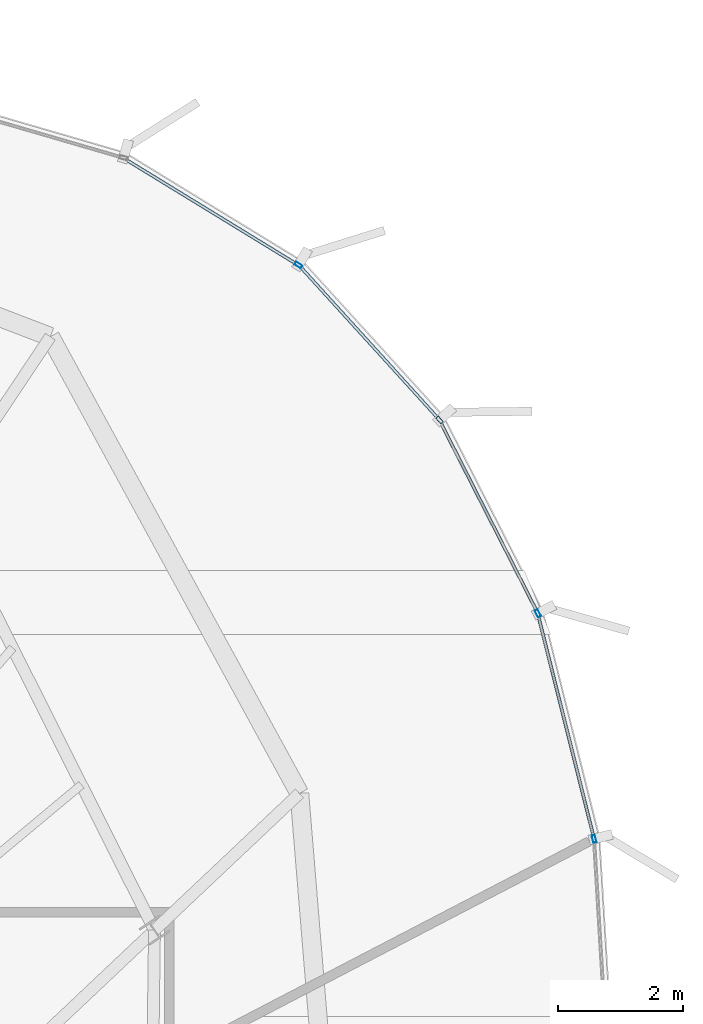
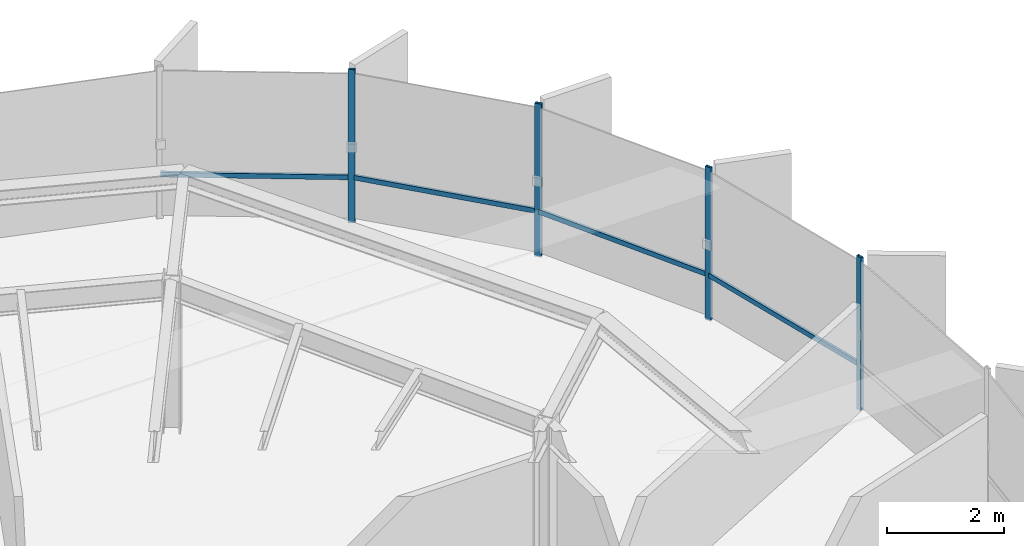
# One storey, part 24 of 33: 8 members, 2 elements without a shape of their own.
"""IFC4 building model written with IfcOpenShell, lengths in metres."""

from ifc_helpers import new_model, si_unit, direction, frame, origin, origin_2d, place, context, subcontext, project, spatial, hollow_rectangle, extrude, source, transform, mapped, material, layer, layer_set, material_profile, profile_set, type_object, element, aggregate, save


model = new_model("IFC4")

# Units and contexts
model_context = context("Model", 3, precision=1e-05, world=origin(), true_north=direction((0.0, 1.0)))
body_context = subcontext(model_context, "Body", "Model", "MODEL_VIEW")
ifc_project = project(units=[si_unit("LENGTHUNIT", "METRE"), si_unit("AREAUNIT", "SQUARE_METRE"), si_unit("VOLUMEUNIT", "CUBIC_METRE"), si_unit("PLANEANGLEUNIT", "RADIAN"), si_unit("MASSUNIT", "GRAM", prefix="KILO"), si_unit("THERMODYNAMICTEMPERATUREUNIT", "KELVIN")], contexts=[model_context])

# Site, building, storey
site_placement = place(None, origin())
site = spatial("IfcSite", under=ifc_project, at=site_placement, CompositionType="ELEMENT")
building_placement = place(site_placement, origin())
building = spatial("IfcBuilding", under=site, at=building_placement, Name="Kethvar Cultural Tower", CompositionType="ELEMENT")
storey_placement = place(building_placement, frame((0.0, 0.0, 238.75)))
storey = spatial("IfcBuildingStorey", under=building, at=storey_placement, Name="L62", CompositionType="ELEMENT", Elevation=238.75)

# Curtain wall, member
ifc_material = material(Name="Aluminium 6063-T6", Category="aluminium")
ifc_layer = layer(ifc_material, 0.179931640625, Name="Aluminium 6063-T6", Category="aluminium")
ifc_layer_set = layer_set([ifc_layer], Name="Aluminium 6063-T6 (180 mm)")
curtain_wall_type = type_object("IfcCurtainWallType", Name="CW-SYS-05-Z56", PredefinedType="NOTDEFINED", material=ifc_layer_set)
curtain_wall_1_placement = place(storey_placement, origin())
curtain_wall_1 = element("IfcCurtainWall", 1, at=curtain_wall_1_placement, inside=storey, type_object=curtain_wall_type, Name="L62 Curtain Wall Run 01", PredefinedType="NOTDEFINED")
ifc_material_profile_1 = material_profile(ifc_material, hollow_rectangle(XDim=0.054931640625, YDim=0.1201171875, WallThickness=0.00390625, at=origin_2d()), Name="Aluminium 6063-T6 — RHS120x55x4")
ifc_profile_set_1 = profile_set([ifc_material_profile_1], Name="Aluminium 6063-T6 — RHS120x55x4")
member_type_1 = type_object("IfcMemberType", Name="CW-SYS-05-Z56-MUL", PredefinedType="MULLION", material=ifc_profile_set_1)
shared_shape_1 = source(origin(), body_context, "Body", "SweptSolid", [
    extrude(hollow_rectangle(XDim=0.054931640625, YDim=0.1201171875, WallThickness=0.00390625, at=origin_2d()), origin(), (0.0, 0.0, 1.0), 3.2099609375),
])
member_1_placement = place(storey_placement, frame((63.636474609375, 48.18505859375, 0.0), z_axis=(0.0, 0.0, 1.0), x_axis=(-0.522037165537, -0.85292273847, 0.0)))
member_1 = element("IfcMember", 2, at=member_1_placement, type_object=member_type_1, Name="CW-L62-R01 Mullion 1", PredefinedType="MULLION", context=body_context, shape_type="MappedRepresentation", body=[
    mapped(shared_shape_1, transform((0.0, 0.0, 0.0), scale=1.0)),
])

# Curtain wall, members
curtain_wall_2_placement = place(storey_placement, origin())
curtain_wall_2 = element("IfcCurtainWall", 3, at=curtain_wall_2_placement, inside=storey, type_object=curtain_wall_type, Name="L62 Curtain Wall Run 06", PredefinedType="NOTDEFINED")
member_2_placement = place(storey_placement, frame((68.384765625, 38.97412109375, 0.0), z_axis=(0.0, 0.0, 1.0), x_axis=(-0.970109657505, -0.242666957817, 0.0)))
member_2 = element("IfcMember", 4, at=member_2_placement, type_object=member_type_1, Name="CW-L62-R06 Mullion 4", PredefinedType="MULLION", context=body_context, shape_type="MappedRepresentation", body=[
    mapped(shared_shape_1, transform((0.0, 0.0, 0.0), scale=1.0)),
])
member_3_placement = place(storey_placement, frame((67.481689453125, 42.594482421875, 0.0), z_axis=(0.0, 0.0, 1.0), x_axis=(-0.890951052136, -0.454099353334, 0.0)))
member_3 = element("IfcMember", 5, at=member_3_placement, type_object=member_type_1, Name="CW-L62-R06 Mullion 5", PredefinedType="MULLION", context=body_context, shape_type="MappedRepresentation", body=[
    mapped(shared_shape_1, transform((0.0, 0.0, 0.0), scale=1.0)),
])
member_4_placement = place(storey_placement, frame((65.90283203125, 45.700439453125, 0.0), z_axis=(0.0, 0.0, 1.0), x_axis=(-0.739995121514, -0.672612236088, 0.0)))
member_4 = element("IfcMember", 6, at=member_4_placement, type_object=member_type_1, Name="CW-L62-R06 Mullion 6", PredefinedType="MULLION", context=body_context, shape_type="MappedRepresentation", body=[
    mapped(shared_shape_1, transform((0.0, 0.0, 0.0), scale=1.0)),
])

# Member
ifc_material_profile_2 = material_profile(ifc_material, hollow_rectangle(XDim=0.050048828125, YDim=0.10009765625, WallThickness=0.00390625, at=origin_2d()), Name="Aluminium 6063-T6 — RHS100x50x4")
ifc_profile_set_2 = profile_set([ifc_material_profile_2], Name="Aluminium 6063-T6 — RHS100x50x4")
member_type_2 = type_object("IfcMemberType", Name="CW-SYS-05-Z56-TRN", PredefinedType="USERDEFINED", material=ifc_profile_set_2)
shared_shape_2 = source(origin(), body_context, "Body", "SweptSolid", [
    extrude(hollow_rectangle(XDim=0.050048828125, YDim=0.10009765625, WallThickness=0.00390625, at=origin_2d()), origin(), (0.0, 0.0, 1.0), 3.27734375),
])
member_5_placement = place(storey_placement, frame((63.633056640625, 48.18701171875, 0.949951171875), z_axis=(-0.852924410389, 0.522034433887, 0.0), x_axis=(-0.522034433887, -0.852924410389, 0.0)))
member_5 = element("IfcMember", 7, at=member_5_placement, type_object=member_type_2, Name="CW-L62-R01 Transom 1", ObjectType="TRANSOM", PredefinedType="USERDEFINED", context=body_context, shape_type="MappedRepresentation", body=[
    mapped(shared_shape_2, transform((0.0, 0.0, 0.0), scale=1.0)),
])

aggregate(curtain_wall_1, [member_1, member_5])

shared_shape_3 = source(origin(), body_context, "Body", "SweptSolid", [
    extrude(hollow_rectangle(XDim=0.050048828125, YDim=0.10009765625, WallThickness=0.00390625, at=origin_2d()), origin(), (0.0, 0.0, 1.0), 3.674560546875),
])
member_6_placement = place(storey_placement, frame((68.375244140625, 39.0126953125, 0.949951171875), z_axis=(-0.242707585184, 0.970099493915, 0.0), x_axis=(-0.970099493915, -0.242707585184, 0.0)))
member_6 = element("IfcMember", 8, at=member_6_placement, type_object=member_type_2, Name="CW-L62-R06 Transom 4", ObjectType="TRANSOM", PredefinedType="USERDEFINED", context=body_context, shape_type="MappedRepresentation", body=[
    mapped(shared_shape_3, transform((0.0, 0.0, 0.0), scale=1.0)),
])

shared_shape_4 = source(origin(), body_context, "Body", "SweptSolid", [
    extrude(hollow_rectangle(XDim=0.050048828125, YDim=0.10009765625, WallThickness=0.00390625, at=origin_2d()), origin(), (0.0, 0.0, 1.0), 3.431396484375),
])
member_7_placement = place(storey_placement, frame((67.4638671875, 42.6298828125, 0.949951171875), z_axis=(-0.45408778497, 0.890956948197, 0.0), x_axis=(-0.890956948197, -0.45408778497, 0.0)))
member_7 = element("IfcMember", 9, at=member_7_placement, type_object=member_type_2, Name="CW-L62-R06 Transom 5", ObjectType="TRANSOM", PredefinedType="USERDEFINED", context=body_context, shape_type="MappedRepresentation", body=[
    mapped(shared_shape_4, transform((0.0, 0.0, 0.0), scale=1.0)),
])

shared_shape_5 = source(origin(), body_context, "Body", "SweptSolid", [
    extrude(hollow_rectangle(XDim=0.050048828125, YDim=0.10009765625, WallThickness=0.00390625, at=origin_2d()), origin(), (0.0, 0.0, 1.0), 3.277587890625),
])
member_8_placement = place(storey_placement, frame((65.876220703125, 45.729736328125, 0.949951171875), z_axis=(-0.672635717176, 0.739973777899, 0.0), x_axis=(-0.739973777899, -0.672635717176, 0.0)))
member_8 = element("IfcMember", 10, at=member_8_placement, type_object=member_type_2, Name="CW-L62-R06 Transom 6", ObjectType="TRANSOM", PredefinedType="USERDEFINED", context=body_context, shape_type="MappedRepresentation", body=[
    mapped(shared_shape_5, transform((0.0, 0.0, 0.0), scale=1.0)),
])

aggregate(curtain_wall_2, [member_2, member_3, member_4, member_6, member_7, member_8])

save(model, "model.ifc")
